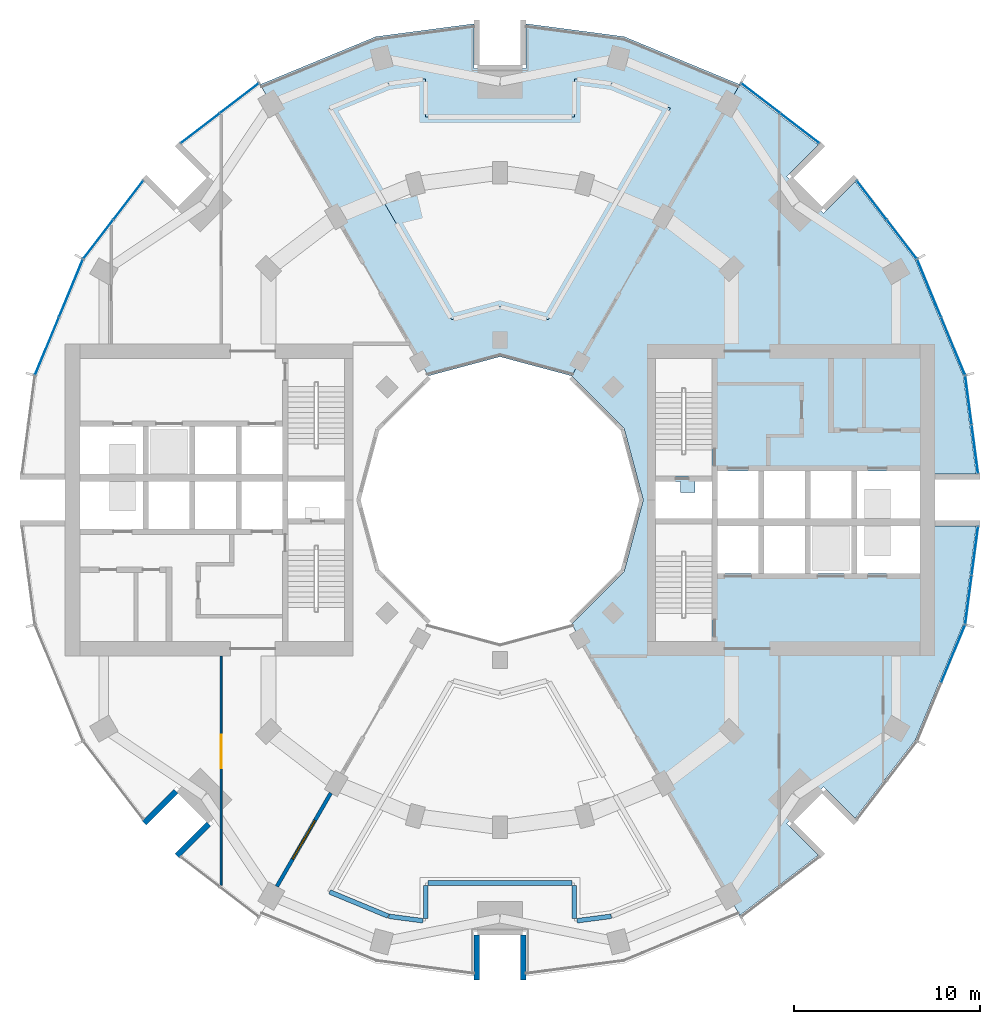
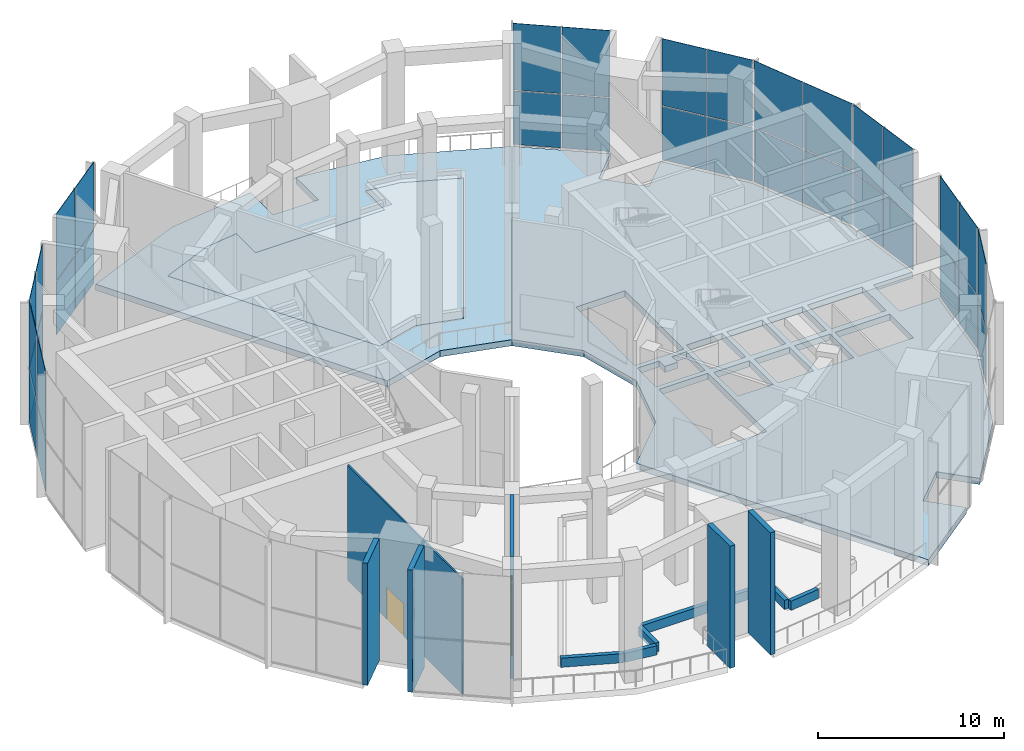
# One storey, part 10 of 18: 34 plates, 12 walls, 3 slabs, 1 door, 1 window, 2 openings, 9 elements without a shape of their own.
"""IFC4 building model written with IfcOpenShell, lengths in metres."""

from ifc_helpers import new_model, si_unit, direction, frame, frame_2d, origin, origin_2d, place, context, subcontext, project, spatial, polyline, rectangle, outline, extrude, material, layer, layer_set, type_object, element, fill, aggregate, save


model = new_model("IFC4")

# Units and contexts
model_context = context("Model", 3, precision=1e-05, world=origin(), true_north=direction((0.0, 1.0)))
body_context = subcontext(model_context, "Body", "Model", "MODEL_VIEW")
ifc_project = project(units=[si_unit("LENGTHUNIT", "METRE"), si_unit("AREAUNIT", "SQUARE_METRE"), si_unit("VOLUMEUNIT", "CUBIC_METRE"), si_unit("PLANEANGLEUNIT", "RADIAN"), si_unit("MASSUNIT", "GRAM", prefix="KILO")], contexts=[model_context])

# Site, building, storey
site_placement = place(None, origin())
site = spatial("IfcSite", under=ifc_project, at=site_placement, CompositionType="ELEMENT")
building_placement = place(site_placement, origin())
building = spatial("IfcBuilding", under=site, at=building_placement, Name="Torre Brocal", CompositionType="ELEMENT")
storey_placement = place(building_placement, frame((0.0, 0.0, 74.39990234375)))
storey = spatial("IfcBuildingStorey", under=building, at=storey_placement, Name="L17", CompositionType="ELEMENT", Elevation=74.39990234375)

# Curtain wall, plates
ifc_material_1 = material(Name="Aluminium and glass", Category="aluminium")
ifc_layer_1 = layer(ifc_material_1, 0.199951171875)
ifc_layer_set_1 = layer_set([ifc_layer_1], Name="Aluminium and glass")
curtain_wall_type = type_object("IfcCurtainWallType", Name="CW-4 CURTAIN WALL 8000 HIGH", PredefinedType="NOTDEFINED", material=ifc_layer_set_1)
curtain_wall_1_placement = place(storey_placement, origin())
curtain_wall_1 = element("IfcCurtainWall", 1, at=curtain_wall_1_placement, inside=storey, type_object=curtain_wall_type, Name="CW-4 RUN 1", PredefinedType="NOTDEFINED")
ifc_material_2 = material(Name="Glass, dark tinted laminated", Category="glass")
ifc_layer_2 = layer(ifc_material_2, 0.030029296875)
ifc_layer_set_2 = layer_set([ifc_layer_2], Name="Glass, dark tinted laminated")
plate_type = type_object("IfcPlateType", Name="CW-4 GLASS PANEL 30", PredefinedType="CURTAIN_PANEL", material=ifc_layer_set_2)
plate_1_placement = place(storey_placement, frame((105.53857421875, 77.73828125, 0.070068359375), z_axis=(0.0, 0.0, 1.0), x_axis=(-0.13052619222, 0.991444861374, 0.0)))
plate_1 = element("IfcPlate", 2, at=plate_1_placement, type_object=plate_type, Name="CW4-1 panel 1.1", PredefinedType="CURTAIN_PANEL", context=body_context, shape_type="SweptSolid", body=[
    extrude(rectangle(XDim=2.599365234375, YDim=0.030029296875, at=origin_2d()), origin(), (0.0, 0.0, 1.0), 3.4951171875),
])
plate_2_placement = place(storey_placement, frame((105.53857421875, 77.73828125, 3.63525390625), z_axis=(0.0, 0.0, 1.0), x_axis=(-0.13052619222, 0.991444861374, 0.0)))
plate_2 = element("IfcPlate", 3, at=plate_2_placement, type_object=plate_type, Name="CW4-1 panel 1.2", PredefinedType="CURTAIN_PANEL", context=body_context, shape_type="SweptSolid", body=[
    extrude(rectangle(XDim=2.599365234375, YDim=0.030029296875, at=origin_2d()), origin(), (0.0, 0.0, 1.0), 4.364990234375),
])
plate_3_placement = place(storey_placement, frame((105.19287109375, 80.364990234375, 0.070068359375), z_axis=(0.0, 0.0, 1.0), x_axis=(-0.13052619222, 0.991444861374, 0.0)))
plate_3 = element("IfcPlate", 4, at=plate_3_placement, type_object=plate_type, Name="CW4-1 panel 2.1", PredefinedType="CURTAIN_PANEL", context=body_context, shape_type="SweptSolid", body=[
    extrude(rectangle(XDim=2.599365234375, YDim=0.030029296875, at=origin_2d()), origin(), (0.0, 0.0, 1.0), 3.4951171875),
])
plate_4_placement = place(storey_placement, frame((105.19287109375, 80.364990234375, 3.63525390625), z_axis=(0.0, 0.0, 1.0), x_axis=(-0.13052619222, 0.991444861374, 0.0)))
plate_4 = element("IfcPlate", 5, at=plate_4_placement, type_object=plate_type, Name="CW4-1 panel 2.2", PredefinedType="CURTAIN_PANEL", context=body_context, shape_type="SweptSolid", body=[
    extrude(rectangle(XDim=2.599365234375, YDim=0.030029296875, at=origin_2d()), origin(), (0.0, 0.0, 1.0), 4.364990234375),
])
aggregate(curtain_wall_1, [plate_1, plate_2, plate_3, plate_4])

curtain_wall_2_placement = place(storey_placement, origin())
curtain_wall_2 = element("IfcCurtainWall", 6, at=curtain_wall_2_placement, inside=storey, type_object=curtain_wall_type, Name="CW-4 RUN 2", PredefinedType="NOTDEFINED")
plate_5_placement = place(storey_placement, frame((104.364990234375, 83.2763671875, 0.070068359375), z_axis=(0.0, 0.0, 1.0), x_axis=(-0.382683432333, 0.923879532525, 0.0)))
plate_5 = element("IfcPlate", 7, at=plate_5_placement, type_object=plate_type, Name="CW4-1 panel 1.1", PredefinedType="CURTAIN_PANEL", context=body_context, shape_type="SweptSolid", body=[
    extrude(rectangle(XDim=3.305419921875, YDim=0.030029296875, at=origin_2d()), origin(), (0.0, 0.0, 1.0), 3.4951171875),
])
plate_6_placement = place(storey_placement, frame((104.364990234375, 83.2763671875, 3.63525390625), z_axis=(0.0, 0.0, 1.0), x_axis=(-0.382683432333, 0.923879532525, 0.0)))
plate_6 = element("IfcPlate", 8, at=plate_6_placement, type_object=plate_type, Name="CW4-1 panel 1.2", PredefinedType="CURTAIN_PANEL", context=body_context, shape_type="SweptSolid", body=[
    extrude(rectangle(XDim=3.305419921875, YDim=0.030029296875, at=origin_2d()), origin(), (0.0, 0.0, 1.0), 4.364990234375),
])
plate_7_placement = place(storey_placement, frame((103.080810546875, 86.37646484375, 0.070068359375), z_axis=(0.0, 0.0, 1.0), x_axis=(-0.382683432333, 0.923879532525, 0.0)))
plate_7 = element("IfcPlate", 9, at=plate_7_placement, type_object=plate_type, Name="CW4-1 panel 2.1", PredefinedType="CURTAIN_PANEL", context=body_context, shape_type="SweptSolid", body=[
    extrude(rectangle(XDim=3.305419921875, YDim=0.030029296875, at=origin_2d()), origin(), (0.0, 0.0, 1.0), 3.4951171875),
])
plate_8_placement = place(storey_placement, frame((103.080810546875, 86.37646484375, 3.63525390625), z_axis=(0.0, 0.0, 1.0), x_axis=(-0.382683432333, 0.923879532525, 0.0)))
plate_8 = element("IfcPlate", 10, at=plate_8_placement, type_object=plate_type, Name="CW4-1 panel 2.2", PredefinedType="CURTAIN_PANEL", context=body_context, shape_type="SweptSolid", body=[
    extrude(rectangle(XDim=3.305419921875, YDim=0.030029296875, at=origin_2d()), origin(), (0.0, 0.0, 1.0), 4.364990234375),
])
aggregate(curtain_wall_2, [plate_5, plate_6, plate_7, plate_8])

curtain_wall_3_placement = place(storey_placement, origin())
curtain_wall_3 = element("IfcCurtainWall", 11, at=curtain_wall_3_placement, inside=storey, type_object=curtain_wall_type, Name="CW-4 RUN 3", PredefinedType="NOTDEFINED")
plate_9_placement = place(storey_placement, frame((101.607666015625, 89.0205078125, 0.070068359375), z_axis=(0.0, 0.0, 1.0), x_axis=(-0.60876142905, 0.793353340259, 0.0)))
plate_9 = element("IfcPlate", 12, at=plate_9_placement, type_object=plate_type, Name="CW4-1 panel 1.1", PredefinedType="CURTAIN_PANEL", context=body_context, shape_type="SweptSolid", body=[
    extrude(rectangle(XDim=2.599365234375, YDim=0.030029296875, at=origin_2d()), origin(), (0.0, 0.0, 1.0), 3.4951171875),
])
plate_10_placement = place(storey_placement, frame((101.607666015625, 89.0205078125, 3.63525390625), z_axis=(0.0, 0.0, 1.0), x_axis=(-0.60876142905, 0.793353340259, 0.0)))
plate_10 = element("IfcPlate", 13, at=plate_10_placement, type_object=plate_type, Name="CW4-1 panel 1.2", PredefinedType="CURTAIN_PANEL", context=body_context, shape_type="SweptSolid", body=[
    extrude(rectangle(XDim=2.599365234375, YDim=0.030029296875, at=origin_2d()), origin(), (0.0, 0.0, 1.0), 4.364990234375),
])
plate_11_placement = place(storey_placement, frame((99.99462890625, 91.122314453125, 0.070068359375), z_axis=(0.0, 0.0, 1.0), x_axis=(-0.60876142905, 0.793353340259, 0.0)))
plate_11 = element("IfcPlate", 14, at=plate_11_placement, type_object=plate_type, Name="CW4-1 panel 2.1", PredefinedType="CURTAIN_PANEL", context=body_context, shape_type="SweptSolid", body=[
    extrude(rectangle(XDim=2.599365234375, YDim=0.030029296875, at=origin_2d()), origin(), (0.0, 0.0, 1.0), 3.4951171875),
])
plate_12_placement = place(storey_placement, frame((99.99462890625, 91.122314453125, 3.63525390625), z_axis=(0.0, 0.0, 1.0), x_axis=(-0.60876142905, 0.793353340259, 0.0)))
plate_12 = element("IfcPlate", 15, at=plate_12_placement, type_object=plate_type, Name="CW4-1 panel 2.2", PredefinedType="CURTAIN_PANEL", context=body_context, shape_type="SweptSolid", body=[
    extrude(rectangle(XDim=2.599365234375, YDim=0.030029296875, at=origin_2d()), origin(), (0.0, 0.0, 1.0), 4.364990234375),
])
aggregate(curtain_wall_3, [plate_9, plate_10, plate_11, plate_12])

curtain_wall_4_placement = place(storey_placement, origin())
curtain_wall_4 = element("IfcCurtainWall", 16, at=curtain_wall_4_placement, inside=storey, type_object=curtain_wall_type, Name="CW-4 RUN 4", PredefinedType="NOTDEFINED")
plate_13_placement = place(storey_placement, frame((96.122314453125, 94.99462890625, 0.070068359375), z_axis=(0.0, 0.0, 1.0), x_axis=(-0.793353340259, 0.60876142905, 0.0)))
plate_13 = element("IfcPlate", 17, at=plate_13_placement, type_object=plate_type, Name="CW4-1 panel 1.1", PredefinedType="CURTAIN_PANEL", context=body_context, shape_type="SweptSolid", body=[
    extrude(rectangle(XDim=2.599365234375, YDim=0.030029296875, at=origin_2d()), origin(), (0.0, 0.0, 1.0), 3.4951171875),
])
plate_14_placement = place(storey_placement, frame((96.122314453125, 94.99462890625, 3.63525390625), z_axis=(0.0, 0.0, 1.0), x_axis=(-0.793353340259, 0.60876142905, 0.0)))
plate_14 = element("IfcPlate", 18, at=plate_14_placement, type_object=plate_type, Name="CW4-1 panel 1.2", PredefinedType="CURTAIN_PANEL", context=body_context, shape_type="SweptSolid", body=[
    extrude(rectangle(XDim=2.599365234375, YDim=0.030029296875, at=origin_2d()), origin(), (0.0, 0.0, 1.0), 4.364990234375),
])
plate_15_placement = place(storey_placement, frame((94.0205078125, 96.607666015625, 0.070068359375), z_axis=(0.0, 0.0, 1.0), x_axis=(-0.793353340259, 0.60876142905, 0.0)))
plate_15 = element("IfcPlate", 19, at=plate_15_placement, type_object=plate_type, Name="CW4-1 panel 2.1", PredefinedType="CURTAIN_PANEL", context=body_context, shape_type="SweptSolid", body=[
    extrude(rectangle(XDim=2.599365234375, YDim=0.030029296875, at=origin_2d()), origin(), (0.0, 0.0, 1.0), 3.4951171875),
])
plate_16_placement = place(storey_placement, frame((94.0205078125, 96.607666015625, 3.63525390625), z_axis=(0.0, 0.0, 1.0), x_axis=(-0.793353340259, 0.60876142905, 0.0)))
plate_16 = element("IfcPlate", 20, at=plate_16_placement, type_object=plate_type, Name="CW4-1 panel 2.2", PredefinedType="CURTAIN_PANEL", context=body_context, shape_type="SweptSolid", body=[
    extrude(rectangle(XDim=2.599365234375, YDim=0.030029296875, at=origin_2d()), origin(), (0.0, 0.0, 1.0), 4.364990234375),
])
aggregate(curtain_wall_4, [plate_13, plate_14, plate_15, plate_16])

curtain_wall_5_placement = place(storey_placement, origin())
curtain_wall_5 = element("IfcCurtainWall", 21, at=curtain_wall_5_placement, inside=storey, type_object=curtain_wall_type, Name="CW-4 RUN 9", PredefinedType="NOTDEFINED")
plate_17_placement = place(storey_placement, frame((65.9794921875, 96.607666015625, 0.070068359375), z_axis=(0.0, 0.0, 1.0), x_axis=(-0.793353340259, -0.60876142905, 0.0)))
plate_17 = element("IfcPlate", 22, at=plate_17_placement, type_object=plate_type, Name="CW4-1 panel 1.1", PredefinedType="CURTAIN_PANEL", context=body_context, shape_type="SweptSolid", body=[
    extrude(rectangle(XDim=2.599365234375, YDim=0.030029296875, at=origin_2d()), origin(), (0.0, 0.0, 1.0), 3.4951171875),
])
plate_18_placement = place(storey_placement, frame((65.9794921875, 96.607666015625, 3.63525390625), z_axis=(0.0, 0.0, 1.0), x_axis=(-0.793353340259, -0.60876142905, 0.0)))
plate_18 = element("IfcPlate", 23, at=plate_18_placement, type_object=plate_type, Name="CW4-1 panel 1.2", PredefinedType="CURTAIN_PANEL", context=body_context, shape_type="SweptSolid", body=[
    extrude(rectangle(XDim=2.599365234375, YDim=0.030029296875, at=origin_2d()), origin(), (0.0, 0.0, 1.0), 4.364990234375),
])
plate_19_placement = place(storey_placement, frame((63.877685546875, 94.99462890625, 0.070068359375), z_axis=(0.0, 0.0, 1.0), x_axis=(-0.793353340259, -0.60876142905, 0.0)))
plate_19 = element("IfcPlate", 24, at=plate_19_placement, type_object=plate_type, Name="CW4-1 panel 2.1", PredefinedType="CURTAIN_PANEL", context=body_context, shape_type="SweptSolid", body=[
    extrude(rectangle(XDim=2.599365234375, YDim=0.030029296875, at=origin_2d()), origin(), (0.0, 0.0, 1.0), 3.4951171875),
])
plate_20_placement = place(storey_placement, frame((63.877685546875, 94.99462890625, 3.63525390625), z_axis=(0.0, 0.0, 1.0), x_axis=(-0.793353340259, -0.60876142905, 0.0)))
plate_20 = element("IfcPlate", 25, at=plate_20_placement, type_object=plate_type, Name="CW4-1 panel 2.2", PredefinedType="CURTAIN_PANEL", context=body_context, shape_type="SweptSolid", body=[
    extrude(rectangle(XDim=2.599365234375, YDim=0.030029296875, at=origin_2d()), origin(), (0.0, 0.0, 1.0), 4.364990234375),
])
aggregate(curtain_wall_5, [plate_17, plate_18, plate_19, plate_20])

curtain_wall_6_placement = place(storey_placement, origin())
curtain_wall_6 = element("IfcCurtainWall", 26, at=curtain_wall_6_placement, inside=storey, type_object=curtain_wall_type, Name="CW-4 RUN 10", PredefinedType="NOTDEFINED")
plate_21_placement = place(storey_placement, frame((60.00537109375, 91.122314453125, 0.070068359375), z_axis=(0.0, 0.0, 1.0), x_axis=(-0.60876142905, -0.793353340259, 0.0)))
plate_21 = element("IfcPlate", 27, at=plate_21_placement, type_object=plate_type, Name="CW4-1 panel 1.1", PredefinedType="CURTAIN_PANEL", context=body_context, shape_type="SweptSolid", body=[
    extrude(rectangle(XDim=2.599365234375, YDim=0.030029296875, at=origin_2d()), origin(), (0.0, 0.0, 1.0), 3.4951171875),
])
plate_22_placement = place(storey_placement, frame((60.00537109375, 91.122314453125, 3.63525390625), z_axis=(0.0, 0.0, 1.0), x_axis=(-0.60876142905, -0.793353340259, 0.0)))
plate_22 = element("IfcPlate", 28, at=plate_22_placement, type_object=plate_type, Name="CW4-1 panel 1.2", PredefinedType="CURTAIN_PANEL", context=body_context, shape_type="SweptSolid", body=[
    extrude(rectangle(XDim=2.599365234375, YDim=0.030029296875, at=origin_2d()), origin(), (0.0, 0.0, 1.0), 4.364990234375),
])
plate_23_placement = place(storey_placement, frame((58.392333984375, 89.0205078125, 0.070068359375), z_axis=(0.0, 0.0, 1.0), x_axis=(-0.60876142905, -0.793353340259, 0.0)))
plate_23 = element("IfcPlate", 29, at=plate_23_placement, type_object=plate_type, Name="CW4-1 panel 2.1", PredefinedType="CURTAIN_PANEL", context=body_context, shape_type="SweptSolid", body=[
    extrude(rectangle(XDim=2.599365234375, YDim=0.030029296875, at=origin_2d()), origin(), (0.0, 0.0, 1.0), 3.4951171875),
])
plate_24_placement = place(storey_placement, frame((58.392333984375, 89.0205078125, 3.63525390625), z_axis=(0.0, 0.0, 1.0), x_axis=(-0.60876142905, -0.793353340259, 0.0)))
plate_24 = element("IfcPlate", 30, at=plate_24_placement, type_object=plate_type, Name="CW4-1 panel 2.2", PredefinedType="CURTAIN_PANEL", context=body_context, shape_type="SweptSolid", body=[
    extrude(rectangle(XDim=2.599365234375, YDim=0.030029296875, at=origin_2d()), origin(), (0.0, 0.0, 1.0), 4.364990234375),
])
aggregate(curtain_wall_6, [plate_21, plate_22, plate_23, plate_24])

curtain_wall_7_placement = place(storey_placement, origin())
curtain_wall_7 = element("IfcCurtainWall", 31, at=curtain_wall_7_placement, inside=storey, type_object=curtain_wall_type, Name="CW-4 RUN 11", PredefinedType="NOTDEFINED")
plate_25_placement = place(storey_placement, frame((56.919189453125, 86.37646484375, 0.070068359375), z_axis=(0.0, 0.0, 1.0), x_axis=(-0.382683432333, -0.923879532525, 0.0)))
plate_25 = element("IfcPlate", 32, at=plate_25_placement, type_object=plate_type, Name="CW4-1 panel 1.1", PredefinedType="CURTAIN_PANEL", context=body_context, shape_type="SweptSolid", body=[
    extrude(rectangle(XDim=3.305419921875, YDim=0.030029296875, at=origin_2d()), origin(), (0.0, 0.0, 1.0), 3.4951171875),
])
plate_26_placement = place(storey_placement, frame((56.919189453125, 86.37646484375, 3.63525390625), z_axis=(0.0, 0.0, 1.0), x_axis=(-0.382683432333, -0.923879532525, 0.0)))
plate_26 = element("IfcPlate", 33, at=plate_26_placement, type_object=plate_type, Name="CW4-1 panel 1.2", PredefinedType="CURTAIN_PANEL", context=body_context, shape_type="SweptSolid", body=[
    extrude(rectangle(XDim=3.305419921875, YDim=0.030029296875, at=origin_2d()), origin(), (0.0, 0.0, 1.0), 4.364990234375),
])
plate_27_placement = place(storey_placement, frame((55.635009765625, 83.2763671875, 0.070068359375), z_axis=(0.0, 0.0, 1.0), x_axis=(-0.382683432333, -0.923879532525, 0.0)))
plate_27 = element("IfcPlate", 34, at=plate_27_placement, type_object=plate_type, Name="CW4-1 panel 2.1", PredefinedType="CURTAIN_PANEL", context=body_context, shape_type="SweptSolid", body=[
    extrude(rectangle(XDim=3.305419921875, YDim=0.030029296875, at=origin_2d()), origin(), (0.0, 0.0, 1.0), 3.4951171875),
])
plate_28_placement = place(storey_placement, frame((55.635009765625, 83.2763671875, 3.63525390625), z_axis=(0.0, 0.0, 1.0), x_axis=(-0.382683432333, -0.923879532525, 0.0)))
plate_28 = element("IfcPlate", 35, at=plate_28_placement, type_object=plate_type, Name="CW4-1 panel 2.2", PredefinedType="CURTAIN_PANEL", context=body_context, shape_type="SweptSolid", body=[
    extrude(rectangle(XDim=3.305419921875, YDim=0.030029296875, at=origin_2d()), origin(), (0.0, 0.0, 1.0), 4.364990234375),
])
aggregate(curtain_wall_7, [plate_25, plate_26, plate_27, plate_28])

curtain_wall_8_placement = place(storey_placement, origin())
curtain_wall_8 = element("IfcCurtainWall", 36, at=curtain_wall_8_placement, inside=storey, type_object=curtain_wall_type, Name="CW-4 RUN 23", PredefinedType="NOTDEFINED")
plate_29_placement = place(storey_placement, frame((104.364990234375, 66.7236328125, 0.070068359375), z_axis=(0.0, 0.0, 1.0), x_axis=(0.382683432333, 0.923879532525, 0.0)))
plate_29 = element("IfcPlate", 37, at=plate_29_placement, type_object=plate_type, Name="CW4-1 panel 2.1", PredefinedType="CURTAIN_PANEL", context=body_context, shape_type="SweptSolid", body=[
    extrude(rectangle(XDim=3.305419921875, YDim=0.030029296875, at=origin_2d()), origin(), (0.0, 0.0, 1.0), 3.4951171875),
])
plate_30_placement = place(storey_placement, frame((104.364990234375, 66.7236328125, 3.63525390625), z_axis=(0.0, 0.0, 1.0), x_axis=(0.382683432333, 0.923879532525, 0.0)))
plate_30 = element("IfcPlate", 38, at=plate_30_placement, type_object=plate_type, Name="CW4-1 panel 2.2", PredefinedType="CURTAIN_PANEL", context=body_context, shape_type="SweptSolid", body=[
    extrude(rectangle(XDim=3.305419921875, YDim=0.030029296875, at=origin_2d()), origin(), (0.0, 0.0, 1.0), 4.364990234375),
])
aggregate(curtain_wall_8, [plate_29, plate_30])

curtain_wall_9_placement = place(storey_placement, origin())
curtain_wall_9 = element("IfcCurtainWall", 39, at=curtain_wall_9_placement, inside=storey, type_object=curtain_wall_type, Name="CW-4 RUN 24", PredefinedType="NOTDEFINED")
plate_31_placement = place(storey_placement, frame((105.19287109375, 69.635009765625, 0.070068359375), z_axis=(0.0, 0.0, 1.0), x_axis=(0.13052619222, 0.991444861374, 0.0)))
plate_31 = element("IfcPlate", 40, at=plate_31_placement, type_object=plate_type, Name="CW4-1 panel 1.1", PredefinedType="CURTAIN_PANEL", context=body_context, shape_type="SweptSolid", body=[
    extrude(rectangle(XDim=2.599365234375, YDim=0.030029296875, at=origin_2d()), origin(), (0.0, 0.0, 1.0), 3.4951171875),
])
plate_32_placement = place(storey_placement, frame((105.19287109375, 69.635009765625, 3.63525390625), z_axis=(0.0, 0.0, 1.0), x_axis=(0.13052619222, 0.991444861374, 0.0)))
plate_32 = element("IfcPlate", 41, at=plate_32_placement, type_object=plate_type, Name="CW4-1 panel 1.2", PredefinedType="CURTAIN_PANEL", context=body_context, shape_type="SweptSolid", body=[
    extrude(rectangle(XDim=2.599365234375, YDim=0.030029296875, at=origin_2d()), origin(), (0.0, 0.0, 1.0), 4.364990234375),
])
plate_33_placement = place(storey_placement, frame((105.53857421875, 72.26171875, 0.070068359375), z_axis=(0.0, 0.0, 1.0), x_axis=(0.13052619222, 0.991444861374, 0.0)))
plate_33 = element("IfcPlate", 42, at=plate_33_placement, type_object=plate_type, Name="CW4-1 panel 2.1", PredefinedType="CURTAIN_PANEL", context=body_context, shape_type="SweptSolid", body=[
    extrude(rectangle(XDim=2.599365234375, YDim=0.030029296875, at=origin_2d()), origin(), (0.0, 0.0, 1.0), 3.4951171875),
])
plate_34_placement = place(storey_placement, frame((105.53857421875, 72.26171875, 3.63525390625), z_axis=(0.0, 0.0, 1.0), x_axis=(0.13052619222, 0.991444861374, 0.0)))
plate_34 = element("IfcPlate", 43, at=plate_34_placement, type_object=plate_type, Name="CW4-1 panel 2.2", PredefinedType="CURTAIN_PANEL", context=body_context, shape_type="SweptSolid", body=[
    extrude(rectangle(XDim=2.599365234375, YDim=0.030029296875, at=origin_2d()), origin(), (0.0, 0.0, 1.0), 4.364990234375),
])
aggregate(curtain_wall_9, [plate_31, plate_32, plate_33, plate_34])

# Slabs
ifc_material_3 = material(Name="Concrete C45", Category="concrete")
ifc_layer_3 = layer(ifc_material_3, 0.39990234375)
ifc_layer_set_3 = layer_set([ifc_layer_3], Name="Concrete C45")
slab_type_1 = type_object("IfcSlabType", Name="GREEN ROOF PLANTING BED SLAB 400 C45", PredefinedType="ROOF", material=ifc_layer_set_3)
slab_1_placement = place(storey_placement, frame((0.0, 0.0, -0.39990234375)))
element("IfcSlab", 44, at=slab_1_placement, inside=storey, type_object=slab_type_1, Name="Slab ST-10", PredefinedType="ROOF", context=body_context, shape_type="SweptSolid", body=[
    extrude(outline(polyline([(76.0, 97.649169921875), (76.0, 95.60009765625), (84.0, 95.60009765625), (84.0, 97.649169921875), (85.998291015625, 97.38623046875), (89.1650390625, 96.074462890625), (82.599365234375, 84.7021484375), (80.0, 85.398681640625), (77.400634765625, 84.7021484375), (70.8349609375, 96.074462890625), (74.001708984375, 97.38623046875), (76.0, 97.649169921875)])), origin(), (0.0, 0.0, 1.0), 0.39990234375),
])
ifc_material_4 = material(Name="Concrete C45", Category="concrete")
ifc_layer_4 = layer(ifc_material_4, 0.39990234375)
ifc_layer_set_4 = layer_set([ifc_layer_4], Name="Concrete C45")
slab_type_2 = type_object("IfcSlabType", Name="PT FLOOR SLAB 400 C45", PredefinedType="FLOOR", material=ifc_layer_set_4)
slab_2_placement = place(storey_placement, frame((0.0, 0.0, -0.39990234375)))
element("IfcSlab", 45, at=slab_2_placement, inside=storey, type_object=slab_type_2, Name="Slab ST-08", PredefinedType="FLOOR", context=body_context, shape_type="SweptSolid", body=[
    extrude(outline(polyline([(92.899169921875, 97.342041015625), (97.121826171875, 94.101806640625), (95.4150390625, 92.394775390625), (97.394775390625, 90.4150390625), (99.101806640625, 92.121826171875), (102.342041015625, 87.899169921875), (104.919189453125, 81.677001953125), (105.614013671875, 76.39990234375), (103.199951171875, 76.39990234375), (103.199951171875, 73.60009765625), (105.614013671875, 73.60009765625), (104.919189453125, 68.322998046875), (102.342041015625, 62.100830078125), (99.101806640625, 57.878173828125), (97.394775390625, 59.5849609375), (95.4150390625, 57.605224609375), (97.121826171875, 55.898193359375), (92.899169921875, 52.657958984375), (83.853515625, 68.325439453125), (86.674560546875, 71.146484375), (87.70703125, 75.0), (86.674560546875, 78.853515625), (83.853515625, 81.674560546875), (92.899169921875, 97.342041015625)]), holes=[polyline([(102.60009765625, 71.050048828125), (102.60009765625, 73.60009765625), (99.199951171875, 73.60009765625), (99.199951171875, 71.050048828125), (102.60009765625, 71.050048828125)]), polyline([(102.60009765625, 74.0), (102.60009765625, 76.550048828125), (99.199951171875, 76.550048828125), (99.199951171875, 74.0), (102.60009765625, 74.0)]), polyline([(98.89990234375, 71.050048828125), (98.89990234375, 73.60009765625), (96.699951171875, 73.60009765625), (96.699951171875, 71.050048828125), (98.89990234375, 71.050048828125)]), polyline([(98.89990234375, 76.550048828125), (96.699951171875, 76.550048828125), (96.699951171875, 74.0), (98.89990234375, 74.0), (98.89990234375, 76.550048828125)]), polyline([(96.39990234375, 74.0), (96.39990234375, 76.550048828125), (94.199951171875, 76.550048828125), (94.199951171875, 74.0), (96.39990234375, 74.0)]), polyline([(96.39990234375, 73.60009765625), (94.199951171875, 73.60009765625), (94.199951171875, 71.050048828125), (96.39990234375, 71.050048828125), (96.39990234375, 73.60009765625)]), polyline([(93.89990234375, 74.0), (93.89990234375, 76.550048828125), (91.699951171875, 76.550048828125), (91.699951171875, 74.0), (93.89990234375, 74.0)]), polyline([(93.89990234375, 73.60009765625), (91.699951171875, 73.60009765625), (91.699951171875, 71.050048828125), (93.89990234375, 71.050048828125), (93.89990234375, 73.60009765625)]), polyline([(91.39990234375, 76.300048828125), (91.39990234375, 82.60009765625), (88.35009765625, 82.60009765625), (88.35009765625, 76.300048828125), (91.39990234375, 76.300048828125)]), polyline([(89.699951171875, 76.0), (88.35009765625, 76.0), (88.35009765625, 74.0), (91.39990234375, 74.0), (91.39990234375, 76.0), (90.5, 76.0), (90.5, 75.39990234375), (89.699951171875, 75.39990234375), (89.699951171875, 76.0)]), polyline([(91.39990234375, 73.699951171875), (88.35009765625, 73.699951171875), (88.35009765625, 67.39990234375), (91.39990234375, 67.39990234375), (91.39990234375, 73.699951171875)])]), origin(), (0.0, 0.0, 1.0), 0.39990234375),
])
ifc_material_5 = material(Name="Concrete C45", Category="concrete")
ifc_layer_5 = layer(ifc_material_5, 0.39990234375)
ifc_layer_set_5 = layer_set([ifc_layer_5], Name="Concrete C45")
slab_type_3 = type_object("IfcSlabType", Name="PT GARDEN SLAB 400 C45", PredefinedType="ROOF", material=ifc_layer_set_5)
slab_3_placement = place(storey_placement, frame((0.0, 0.0, -0.39990234375)))
element("IfcSlab", 46, at=slab_3_placement, inside=storey, type_object=slab_type_3, Name="Slab ST-09", PredefinedType="ROOF", context=body_context, shape_type="SweptSolid", body=[
    extrude(outline(polyline([(78.60009765625, 98.199951171875), (81.39990234375, 98.199951171875), (81.39990234375, 100.614013671875), (86.677001953125, 99.919189453125), (92.899169921875, 97.342041015625), (83.853515625, 81.674560546875), (80.0, 82.70703125), (76.146484375, 81.674560546875), (67.100830078125, 97.342041015625), (73.322998046875, 99.919189453125), (78.60009765625, 100.614013671875), (78.60009765625, 98.199951171875)]), holes=[polyline([(77.400634765625, 84.7021484375), (80.0, 85.398681640625), (82.599365234375, 84.7021484375), (89.1650390625, 96.074462890625), (85.998291015625, 97.38623046875), (84.0, 97.649169921875), (84.0, 95.60009765625), (76.0, 95.60009765625), (76.0, 97.649169921875), (74.001708984375, 97.38623046875), (70.8349609375, 96.074462890625), (77.400634765625, 84.7021484375)])]), origin(), (0.0, 0.0, 1.0), 0.39990234375),
])

# Walls
ifc_material_6 = material(Name="Concrete C80", Category="concrete")
ifc_layer_6 = layer(ifc_material_6, 0.300048828125)
ifc_layer_set_6 = layer_set([ifc_layer_6], Name="Concrete C80")
wall_type_1 = type_object("IfcWallType", Name="NOTCH RETURN WALL 300 C80", PredefinedType="NOTDEFINED", material=ifc_layer_set_6)
for number, where, z_axis, x_axis, name in (
    (47, (62.56982421875, 59.337646484375, 0.0), (0.0, 0.0, 1.0), (-0.707106781187, -0.707106781187, 0.0), "NOTCH RETURN WALL"),
    (48, (64.337646484375, 57.56982421875, 0.0), (0.0, 0.0, 1.0), (-0.707106781187, -0.707106781187, 0.0), "NOTCH RETURN WALL"),
    (49, (78.75, 51.60009765625, 0.0), (0.0, 0.0, 1.0), (0.0, -1.0, 0.0), "NOTCH RETURN WALL"),
    (50, (81.25, 51.60009765625, 0.0), (0.0, 0.0, 1.0), (0.0, -1.0, 0.0), "NOTCH RETURN WALL"),
):
    element("IfcWall", number, at=place(storey_placement, frame(where, z_axis=z_axis, x_axis=x_axis)), inside=storey, type_object=wall_type_1, Name=name, PredefinedType="NOTDEFINED", context=body_context, shape_type="SweptSolid", body=[
        extrude(rectangle(XDim=2.415771484375, YDim=0.300048828125, at=frame_2d((1.2080078125, 0.0))), origin(), (0.0, 0.0, 1.0), 8.0),
    ])

# Wall, opening, door
ifc_material_7 = material(Name="Gypsum board", Category="Gypsum")
ifc_layer_7 = layer(ifc_material_7, 0.10009765625)
ifc_layer_set_7 = layer_set([ifc_layer_7], Name="Gypsum board")
wall_type_2 = type_object("IfcWallType", Name="PARTITION 100", PredefinedType="PARTITIONING", material=ifc_layer_set_7)
wall_1_placement = place(storey_placement, frame((65.0, 54.27001953125, 0.0), z_axis=(0.0, 0.0, 1.0), x_axis=(0.0, 1.0, 0.0)))
wall_1 = element("IfcWall", 51, at=wall_1_placement, inside=storey, type_object=wall_type_2, Name="ROOM PARTITION", PredefinedType="PARTITIONING", context=body_context, shape_type="SweptSolid", body=[
    extrude(rectangle(XDim=12.330078125, YDim=0.10009765625, at=frame_2d((6.1650390625, 0.0))), origin(), (0.0, 0.0, 1.0), 7.550048828125),
])
opening_1_placement = place(wall_1_placement, frame((6.30859375, 0.0, 0.0)))
opening_1 = element("IfcOpeningElement", 52, at=opening_1_placement, cuts=wall_1, Name="Opening SG1-D06", PredefinedType="OPENING", context=body_context, shape_type="SweptSolid", body=[
    extrude(rectangle(XDim=1.800048828125, YDim=2.10009765625, at=frame_2d((0.89990234375, 1.050048828125))), frame((0.0, 0.06005859375, 0.0), z_axis=(0.0, -1.0, 0.0), x_axis=(1.0, 0.0, 0.0)), (0.0, 0.0, 1.0), 0.1201171875),
])
ifc_material_8 = material(Name="Timber", Category="wood")
door_type = type_object("IfcDoorType", Name="DOUBLE DOOR 1800X2100", OperationType="DOUBLE_DOOR_SINGLE_SWING", PredefinedType="DOOR", material=ifc_material_8)
door_placement = place(opening_1_placement, origin())
door = element("IfcDoor", 53, at=door_placement, inside=storey, type_object=door_type, Name="SG1-D06", OperationType="DOUBLE_DOOR_SINGLE_SWING", OverallHeight=2.10009765625, OverallWidth=1.800048828125, PredefinedType="DOOR", context=body_context, shape_type="SweptSolid", body=[
    extrude(rectangle(XDim=1.800048828125, YDim=2.10009765625, at=frame_2d((0.89990234375, 1.050048828125))), frame((0.0, 0.02490234375, 0.0), z_axis=(0.0, -1.0, 0.0), x_axis=(1.0, 0.0, 0.0)), (0.0, 0.0, 1.0), 0.050048828125),
])
fill(opening_1, door)

# Wall, opening, window
ifc_material_9 = material(Name="Concrete C40", Category="concrete")
ifc_layer_8 = layer(ifc_material_9, 0.199951171875)
ifc_layer_set_8 = layer_set([ifc_layer_8], Name="Concrete C40")
wall_type_3 = type_object("IfcWallType", Name="PAVILION BOUNDARY WALL 200", PredefinedType="NOTDEFINED", material=ifc_layer_set_8)
wall_2_placement = place(storey_placement, frame((70.89990234375, 59.23828125, 0.0), z_axis=(0.0, 0.0, 1.0), x_axis=(-0.499987231761, -0.866032775405, 0.0)))
wall_2 = element("IfcWall", 54, at=wall_2_placement, inside=storey, type_object=wall_type_3, Name="PAVILION BOUNDARY WALL", PredefinedType="NOTDEFINED", context=body_context, shape_type="SweptSolid", body=[
    extrude(rectangle(XDim=5.800048828125, YDim=0.199951171875, at=frame_2d((2.89990234375, 0.0))), origin(), (0.0, 0.0, 1.0), 8.0),
])
opening_2_placement = place(wall_2_placement, frame((1.699951171875, 0.0, 0.300048828125)))
opening_2 = element("IfcOpeningElement", 55, at=opening_2_placement, cuts=wall_2, Name="Opening W4", PredefinedType="OPENING", context=body_context, shape_type="SweptSolid", body=[
    extrude(rectangle(XDim=2.39990234375, YDim=3.60009765625, at=frame_2d((1.199951171875, 1.800048828125))), frame((0.0, 0.10986328125, 0.0), z_axis=(0.0, -1.0, 0.0), x_axis=(1.0, 0.0, 0.0)), (0.0, 0.0, 1.0), 0.219970703125),
])
ifc_material_10 = material(Name="Aluminium and glass", Category="aluminium")
window_type = type_object("IfcWindowType", Name="PAVILION WINDOW 2400X3600", PartitioningType="SINGLE_PANEL", PredefinedType="WINDOW", material=ifc_material_10)
window_placement = place(opening_2_placement, origin())
window = element("IfcWindow", 56, at=window_placement, inside=storey, type_object=window_type, Name="PAVILION WINDOW 2400X3600", OverallHeight=3.60009765625, OverallWidth=2.39990234375, PartitioningType="SINGLE_PANEL", PredefinedType="WINDOW", context=body_context, shape_type="SweptSolid", body=[
    extrude(rectangle(XDim=2.39990234375, YDim=3.60009765625, at=frame_2d((1.199951171875, 1.800048828125))), frame((0.0, 0.030029296875, 0.0), z_axis=(0.0, -1.0, 0.0), x_axis=(1.0, 0.0, 0.0)), (0.0, 0.0, 1.0), 0.06005859375),
])
fill(opening_2, window)

# Walls
ifc_material_11 = material(Name="Concrete C35", Category="concrete")
ifc_layer_9 = layer(ifc_material_11, 0.25)
ifc_layer_set_9 = layer_set([ifc_layer_9], Name="Concrete C35")
wall_type_4 = type_object("IfcWallType", Name="PLANTER WALL 250 THICK 600 HIGH 8", PredefinedType="USERDEFINED", material=ifc_layer_set_9)
wall_3_placement = place(storey_placement, frame((70.8349609375, 53.925537109375, 0.0), z_axis=(0.0, 0.0, 1.0), x_axis=(0.923871147788, -0.38270367425, 0.0)))
element("IfcWall", 57, at=wall_3_placement, inside=storey, type_object=wall_type_4, Name="PLANTER", ObjectType="PLANTER", PredefinedType="USERDEFINED", context=body_context, shape_type="SweptSolid", body=[
    extrude(rectangle(XDim=3.4111328125, YDim=0.25, at=frame_2d((1.70556640625, 0.0))), origin(), (0.0, 0.0, 1.0), 0.60009765625),
])
wall_4_placement = place(storey_placement, frame((74.01806640625, 52.61181640625, 0.0), z_axis=(0.0, 0.0, 1.0), x_axis=(0.991436829887, -0.130587182926, 0.0)))
element("IfcWall", 58, at=wall_4_placement, inside=storey, type_object=wall_type_4, Name="PLANTER", ObjectType="PLANTER", PredefinedType="USERDEFINED", context=body_context, shape_type="SweptSolid", body=[
    extrude(rectangle(XDim=1.8564453125, YDim=0.25, at=frame_2d((0.92822265625, 0.0))), origin(), (0.0, 0.0, 1.0), 0.60009765625),
])
wall_5_placement = place(storey_placement, frame((76.0, 52.493408203125, 0.0), z_axis=(0.0, 0.0, 1.0), x_axis=(0.0, 1.0, 0.0)))
element("IfcWall", 59, at=wall_5_placement, inside=storey, type_object=wall_type_4, Name="PLANTER", ObjectType="PLANTER", PredefinedType="USERDEFINED", context=body_context, shape_type="SweptSolid", body=[
    extrude(rectangle(XDim=1.781494140625, YDim=0.25, at=frame_2d((0.890625, 0.0))), origin(), (0.0, 0.0, 1.0), 0.60009765625),
])
wall_6_placement = place(storey_placement, frame((76.125, 54.39990234375, 0.0), z_axis=(0.0, 0.0, 1.0), x_axis=(1.0, 0.0, 0.0)))
element("IfcWall", 60, at=wall_6_placement, inside=storey, type_object=wall_type_4, Name="PLANTER", ObjectType="PLANTER", PredefinedType="USERDEFINED", context=body_context, shape_type="SweptSolid", body=[
    extrude(rectangle(XDim=7.75, YDim=0.25, at=frame_2d((3.875, 0.0))), origin(), (0.0, 0.0, 1.0), 0.60009765625),
])
wall_7_placement = place(storey_placement, frame((84.0, 54.27490234375, 0.0), z_axis=(0.0, 0.0, 1.0), x_axis=(0.0, -1.0, 0.0)))
element("IfcWall", 61, at=wall_7_placement, inside=storey, type_object=wall_type_4, Name="PLANTER", ObjectType="PLANTER", PredefinedType="USERDEFINED", context=body_context, shape_type="SweptSolid", body=[
    extrude(rectangle(XDim=1.781494140625, YDim=0.25, at=frame_2d((0.890625, 0.0))), origin(), (0.0, 0.0, 1.0), 0.60009765625),
])
wall_8_placement = place(storey_placement, frame((84.141357421875, 52.369384765625, 0.0), z_axis=(0.0, 0.0, 1.0), x_axis=(0.991436829887, 0.130587182926, 0.0)))
element("IfcWall", 62, at=wall_8_placement, inside=storey, type_object=wall_type_4, Name="PLANTER", ObjectType="PLANTER", PredefinedType="USERDEFINED", context=body_context, shape_type="SweptSolid", body=[
    extrude(rectangle(XDim=1.8564453125, YDim=0.25, at=frame_2d((0.92822265625, 0.0))), origin(), (0.0, 0.0, 1.0), 0.60009765625),
])

save(model, "model.ifc")
